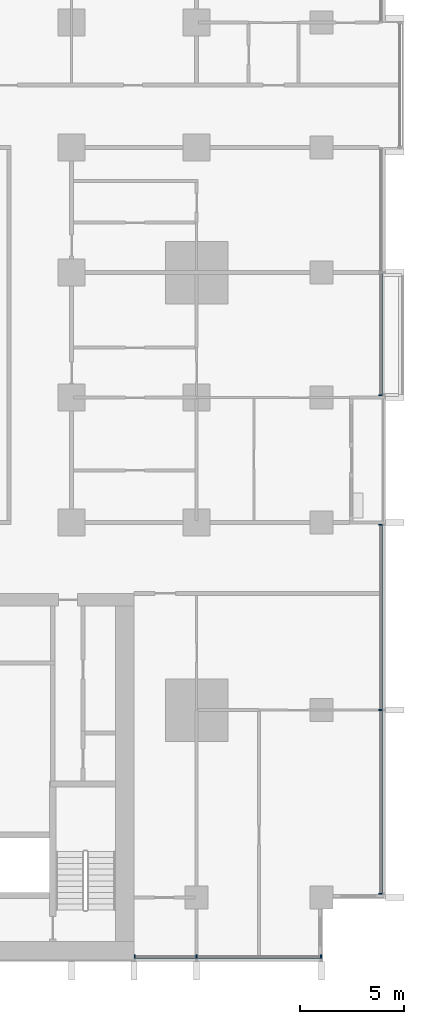
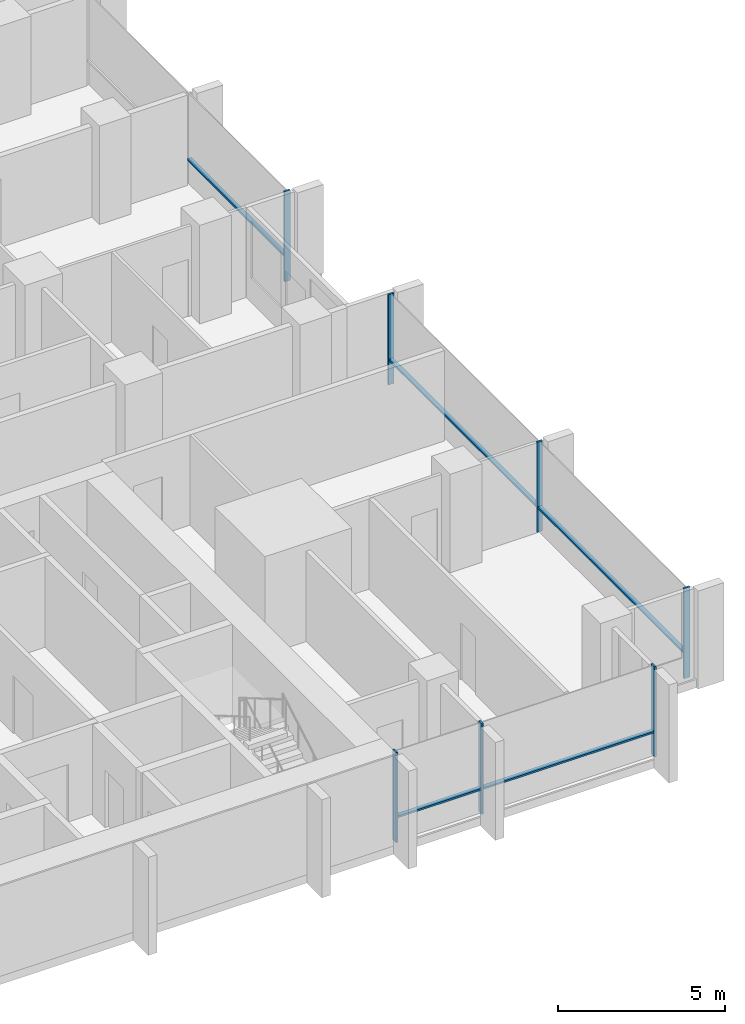
# One storey, part 3 of 17: 12 members, 3 elements without a shape of their own.
"""IFC4 building model written with IfcOpenShell, lengths in metres."""

from ifc_helpers import new_model, si_unit, direction, frame, origin, origin_2d, place, context, subcontext, project, spatial, rectangle, extrude, material, material_profile, profile_set, type_object, element, aggregate, save


model = new_model("IFC4")

# Units and contexts
model_context = context("Model", 3, precision=1e-05, world=origin(), true_north=direction((0.0, 1.0)))
body_context = subcontext(model_context, "Body", "Model", "MODEL_VIEW")
ifc_project = project(units=[si_unit("LENGTHUNIT", "METRE"), si_unit("AREAUNIT", "SQUARE_METRE"), si_unit("VOLUMEUNIT", "CUBIC_METRE"), si_unit("PLANEANGLEUNIT", "RADIAN"), si_unit("MASSUNIT", "GRAM", prefix="KILO")], contexts=[model_context])

# Site, building, storey
site_placement = place(None, origin())
site = spatial("IfcSite", under=ifc_project, at=site_placement, CompositionType="ELEMENT")
building_placement = place(site_placement, origin())
building = spatial("IfcBuilding", under=site, at=building_placement, Name="Finial Court Residences", CompositionType="ELEMENT")
storey_placement = place(building_placement, frame((0.0, 0.0, 64.89990234375)))
storey = spatial("IfcBuildingStorey", under=building, at=storey_placement, Name="L15", CompositionType="ELEMENT", Elevation=64.89990234375)

# Curtain wall, members
ifc_material = material(Name="Bronze anodised aluminium", Category="aluminium")
curtain_wall_type = type_object("IfcCurtainWallType", Name="Unitised curtain wall, lower and middle zones", PredefinedType="NOTDEFINED", material=ifc_material)
curtain_wall_1_placement = place(storey_placement, origin())
curtain_wall_1 = element("IfcCurtainWall", 1, at=curtain_wall_1_placement, inside=storey, type_object=curtain_wall_type, Name="E-L15-CW-E4", PredefinedType="NOTDEFINED")
ifc_material_profile_1 = material_profile(ifc_material, rectangle(XDim=0.199951171875, YDim=0.06494140625, at=origin_2d()), Name="CW1 mullion 65 x 200")
ifc_profile_set_1 = profile_set([ifc_material_profile_1], Name="Bronze anodised aluminium")
member_type_1 = type_object("IfcMemberType", Name="CW1 mullion 65 x 200", PredefinedType="MULLION", material=ifc_profile_set_1)
member_1_placement = place(storey_placement, frame((25.35009765625, -22.3173828125, 0.0), z_axis=(0.0, 0.0, 1.0), x_axis=(-1.0, 0.0, 0.0)))
member_1 = element("IfcMember", 2, at=member_1_placement, type_object=member_type_1, Name="CW1 mullion 1", PredefinedType="MULLION", context=body_context, shape_type="SweptSolid", body=[
    extrude(rectangle(XDim=0.199951171875, YDim=0.06494140625, at=origin_2d()), origin(), (0.0, 0.0, 1.0), 3.300048828125),
])
member_2_placement = place(storey_placement, frame((25.35009765625, -13.5, 0.0), z_axis=(0.0, 0.0, 1.0), x_axis=(-1.0, 0.0, 0.0)))
member_2 = element("IfcMember", 3, at=member_2_placement, type_object=member_type_1, Name="CW1 mullion 2", PredefinedType="MULLION", context=body_context, shape_type="SweptSolid", body=[
    extrude(rectangle(XDim=0.199951171875, YDim=0.06494140625, at=origin_2d()), origin(), (0.0, 0.0, 1.0), 3.300048828125),
])
member_3_placement = place(storey_placement, frame((25.35009765625, -4.607421875, 0.0), z_axis=(0.0, 0.0, 1.0), x_axis=(-1.0, 0.0, 0.0)))
member_3 = element("IfcMember", 4, at=member_3_placement, type_object=member_type_1, Name="CW1 mullion 3", PredefinedType="MULLION", context=body_context, shape_type="SweptSolid", body=[
    extrude(rectangle(XDim=0.199951171875, YDim=0.06494140625, at=origin_2d()), origin(), (0.0, 0.0, 1.0), 3.300048828125),
])

# Curtain wall, member
curtain_wall_2_placement = place(storey_placement, origin())
curtain_wall_2 = element("IfcCurtainWall", 5, at=curtain_wall_2_placement, inside=storey, type_object=curtain_wall_type, Name="E-L15-CW-E5", PredefinedType="NOTDEFINED")
member_4_placement = place(storey_placement, frame((25.35009765625, 1.607421875, 0.0), z_axis=(0.0, 0.0, 1.0), x_axis=(-1.0, 0.0, 0.0)))
member_4 = element("IfcMember", 6, at=member_4_placement, type_object=member_type_1, Name="CW1 mullion 1", PredefinedType="MULLION", context=body_context, shape_type="SweptSolid", body=[
    extrude(rectangle(XDim=0.199951171875, YDim=0.06494140625, at=origin_2d()), origin(), (0.0, 0.0, 1.0), 3.300048828125),
])

# Curtain wall, members
curtain_wall_3_placement = place(storey_placement, origin())
curtain_wall_3 = element("IfcCurtainWall", 7, at=curtain_wall_3_placement, inside=storey, type_object=curtain_wall_type, Name="E-L15-CW-S9", PredefinedType="NOTDEFINED")
member_5_placement = place(storey_placement, frame((13.532470703125, -25.35009765625, 0.0), z_axis=(0.0, 0.0, 1.0), x_axis=(0.0, 1.0, 0.0)))
member_5 = element("IfcMember", 8, at=member_5_placement, type_object=member_type_1, Name="CW1 mullion 1", PredefinedType="MULLION", context=body_context, shape_type="SweptSolid", body=[
    extrude(rectangle(XDim=0.199951171875, YDim=0.06494140625, at=origin_2d()), origin(), (0.0, 0.0, 1.0), 3.300048828125),
])
member_6_placement = place(storey_placement, frame((16.5, -25.35009765625, 0.0), z_axis=(0.0, 0.0, 1.0), x_axis=(0.0, 1.0, 0.0)))
member_6 = element("IfcMember", 9, at=member_6_placement, type_object=member_type_1, Name="CW1 mullion 2", PredefinedType="MULLION", context=body_context, shape_type="SweptSolid", body=[
    extrude(rectangle(XDim=0.199951171875, YDim=0.06494140625, at=origin_2d()), origin(), (0.0, 0.0, 1.0), 3.300048828125),
])
member_7_placement = place(storey_placement, frame((22.467529296875, -25.35009765625, 0.0), z_axis=(0.0, 0.0, 1.0), x_axis=(0.0, 1.0, 0.0)))
member_7 = element("IfcMember", 10, at=member_7_placement, type_object=member_type_1, Name="CW1 mullion 3", PredefinedType="MULLION", context=body_context, shape_type="SweptSolid", body=[
    extrude(rectangle(XDim=0.199951171875, YDim=0.06494140625, at=origin_2d()), origin(), (0.0, 0.0, 1.0), 3.300048828125),
])

# Member
ifc_material_profile_2 = material_profile(ifc_material, rectangle(XDim=0.14990234375, YDim=0.06494140625, at=origin_2d()), Name="CW1 transom 65 x 150")
ifc_profile_set_2 = profile_set([ifc_material_profile_2], Name="Bronze anodised aluminium")
member_type_2 = type_object("IfcMemberType", Name="CW1 transom 65 x 150", PredefinedType="USERDEFINED", material=ifc_profile_set_2)
member_8_placement = place(storey_placement, frame((25.35009765625, -22.284912109375, 0.900146484375), z_axis=(0.0, 1.0, 0.0), x_axis=(-1.0, 0.0, 0.0)))
member_8 = element("IfcMember", 11, at=member_8_placement, type_object=member_type_2, Name="CW1 transom 1.1", ObjectType="TRANSOM", PredefinedType="USERDEFINED", context=body_context, shape_type="SweptSolid", body=[
    extrude(rectangle(XDim=0.14990234375, YDim=0.06494140625, at=origin_2d()), origin(), (0.0, 0.0, 1.0), 8.75244140625),
])

member_9_placement = place(storey_placement, frame((25.35009765625, -13.467529296875, 0.900146484375), z_axis=(0.0, 1.0, 0.0), x_axis=(-1.0, 0.0, 0.0)))
member_9 = element("IfcMember", 12, at=member_9_placement, type_object=member_type_2, Name="CW1 transom 2.1", ObjectType="TRANSOM", PredefinedType="USERDEFINED", context=body_context, shape_type="SweptSolid", body=[
    extrude(rectangle(XDim=0.14990234375, YDim=0.06494140625, at=origin_2d()), origin(), (0.0, 0.0, 1.0), 8.82763671875),
])

aggregate(curtain_wall_1, [member_1, member_2, member_3, member_8, member_9])

member_10_placement = place(storey_placement, frame((25.35009765625, 1.639892578125, 0.900146484375), z_axis=(0.0, 1.0, 0.0), x_axis=(-1.0, 0.0, 0.0)))
member_10 = element("IfcMember", 13, at=member_10_placement, type_object=member_type_2, Name="CW1 transom 1.1", ObjectType="TRANSOM", PredefinedType="USERDEFINED", context=body_context, shape_type="SweptSolid", body=[
    extrude(rectangle(XDim=0.14990234375, YDim=0.06494140625, at=origin_2d()), origin(), (0.0, 0.0, 1.0), 5.82763671875),
])

aggregate(curtain_wall_2, [member_4, member_10])

member_11_placement = place(storey_placement, frame((13.56494140625, -25.35009765625, 0.900146484375), z_axis=(1.0, 0.0, 0.0), x_axis=(0.0, 1.0, 0.0)))
member_11 = element("IfcMember", 14, at=member_11_placement, type_object=member_type_2, Name="CW1 transom 1.1", ObjectType="TRANSOM", PredefinedType="USERDEFINED", context=body_context, shape_type="SweptSolid", body=[
    extrude(rectangle(XDim=0.14990234375, YDim=0.06494140625, at=origin_2d()), origin(), (0.0, 0.0, 1.0), 2.902587890625),
])

member_12_placement = place(storey_placement, frame((16.532470703125, -25.35009765625, 0.900146484375), z_axis=(1.0, 0.0, 0.0), x_axis=(0.0, 1.0, 0.0)))
member_12 = element("IfcMember", 15, at=member_12_placement, type_object=member_type_2, Name="CW1 transom 2.1", ObjectType="TRANSOM", PredefinedType="USERDEFINED", context=body_context, shape_type="SweptSolid", body=[
    extrude(rectangle(XDim=0.14990234375, YDim=0.06494140625, at=origin_2d()), origin(), (0.0, 0.0, 1.0), 5.902587890625),
])

aggregate(curtain_wall_3, [member_5, member_6, member_7, member_11, member_12])

save(model, "model.ifc")
